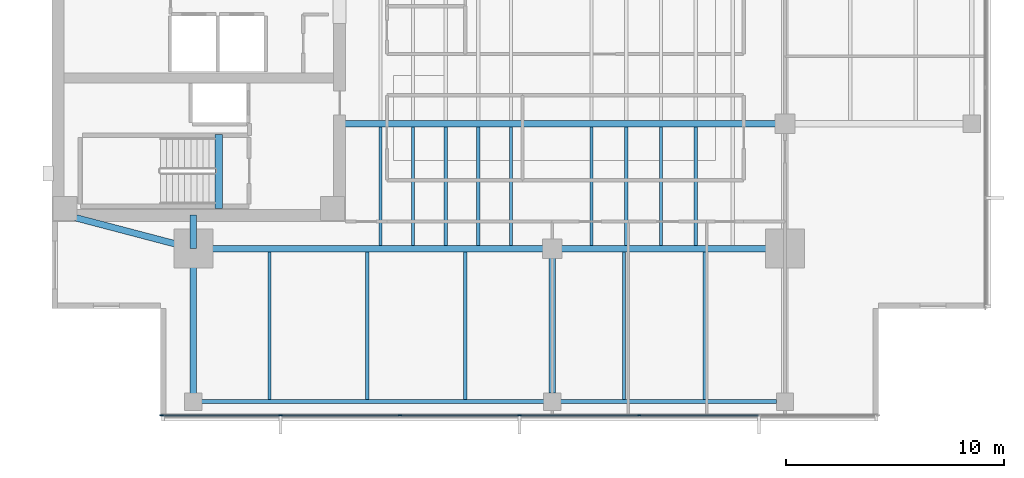
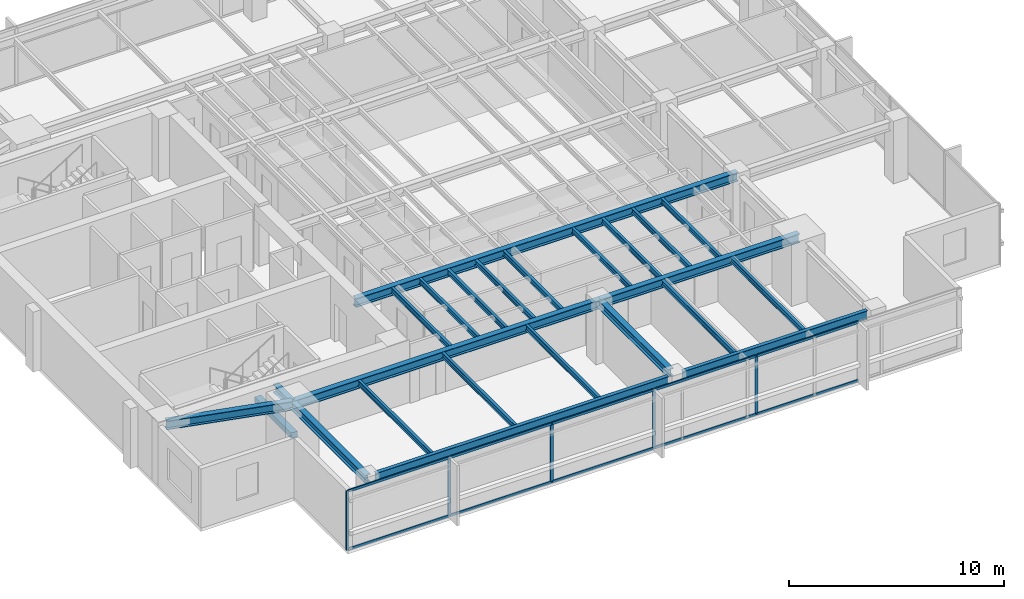
# One storey, part 2 of 14: 24 beams, 15 members, 1 element without a shape of its own.
"""IFC4 building model written with IfcOpenShell, lengths in metres."""

from ifc_helpers import new_model, si_unit, direction, frame, origin, origin_2d, place, context, subcontext, project, spatial, rectangle, i_section, extrude, material, layer, layer_set, material_profile, profile_set, type_object, element, aggregate, save


model = new_model("IFC4")

# Units and contexts
model_context = context("Model", 3, precision=1e-05, world=origin(), true_north=direction((0.0, 1.0)))
body_context = subcontext(model_context, "Body", "Model", "MODEL_VIEW")
ifc_project = project(units=[si_unit("LENGTHUNIT", "METRE"), si_unit("AREAUNIT", "SQUARE_METRE"), si_unit("VOLUMEUNIT", "CUBIC_METRE"), si_unit("PLANEANGLEUNIT", "RADIAN"), si_unit("MASSUNIT", "GRAM", prefix="KILO")], contexts=[model_context])

# Site, building, storey
site_placement = place(None, origin())
site = spatial("IfcSite", under=ifc_project, at=site_placement, CompositionType="ELEMENT")
building_placement = place(site_placement, origin())
building = spatial("IfcBuilding", under=site, at=building_placement, Name="Kinhvarn Gate Tower", CompositionType="ELEMENT")
storey_placement = place(building_placement, frame((0.0, 0.0, 230.64990234375)))
storey = spatial("IfcBuildingStorey", under=building, at=storey_placement, Name="L61", CompositionType="ELEMENT", Elevation=230.64990234375)

# Beam
ifc_material_1 = material(Name="Concrete C50/60", Category="concrete")
ifc_material_profile_1 = material_profile(ifc_material_1, rectangle(XDim=0.340087890625, YDim=0.320068359375, at=origin_2d()), Name="RC 340x320")
ifc_profile_set_1 = profile_set([ifc_material_profile_1], Name="Concrete C50/60")
beam_type_1 = type_object("IfcBeamType", Name="BM-LND-500", PredefinedType="BEAM", material=ifc_profile_set_1)
beam_1_placement = place(storey_placement, frame((12.1650390625, 14.60009765625, -0.159912109375), z_axis=(0.0, 1.0, 0.0), x_axis=(-1.0, 0.0, 0.0)))
element("IfcBeam", 1, at=beam_1_placement, inside=storey, type_object=beam_type_1, Name="Stair ST1 Landing Nosing Beam (L61)", PredefinedType="BEAM", context=body_context, shape_type="SweptSolid", body=[
    extrude(rectangle(XDim=0.340087890625, YDim=0.320068359375, at=origin_2d()), origin(), (0.0, 0.0, 1.0), 3.39990234375),
])

# Curtain wall, members
ifc_material_2 = material(Name="Anodised aluminium AW-6063", Category="aluminium")
ifc_layer = layer(ifc_material_2, 0.179931640625)
ifc_layer_set = layer_set([ifc_layer], Name="Anodised aluminium AW-6063")
curtain_wall_type = type_object("IfcCurtainWallType", Name="CW-SYS-3", PredefinedType="NOTDEFINED", material=ifc_layer_set)
curtain_wall_placement = place(storey_placement, origin())
curtain_wall = element("IfcCurtainWall", 2, at=curtain_wall_placement, inside=storey, type_object=curtain_wall_type, Name="Curtain Wall CW3 (L61)", PredefinedType="NOTDEFINED")
ifc_material_profile_2 = material_profile(ifc_material_2, rectangle(XDim=0.06494140625, YDim=0.159912109375, at=origin_2d()), Name="ALU 65x160")
ifc_profile_set_2 = profile_set([ifc_material_profile_2], Name="Anodised aluminium AW-6063")
member_type_1 = type_object("IfcMemberType", Name="CW-MUL-160", PredefinedType="MULLION", material=ifc_profile_set_2)
member_1_placement = place(storey_placement, frame((9.532470703125, 5.090087890625, 0.0), z_axis=(0.0, 0.0, 1.0), x_axis=(0.0, 1.0, 0.0)))
member_1 = element("IfcMember", 3, at=member_1_placement, type_object=member_type_1, Name="CW3 mullion 1", PredefinedType="MULLION", context=body_context, shape_type="SweptSolid", body=[
    extrude(rectangle(XDim=0.06494140625, YDim=0.159912109375, at=origin_2d()), origin(), (0.0, 0.0, 1.0), 3.3701171875),
])
member_2_placement = place(storey_placement, frame((15.0, 5.090087890625, 0.0), z_axis=(0.0, 0.0, 1.0), x_axis=(0.0, 1.0, 0.0)))
member_2 = element("IfcMember", 4, at=member_2_placement, type_object=member_type_1, Name="CW3 mullion 2", PredefinedType="MULLION", context=body_context, shape_type="SweptSolid", body=[
    extrude(rectangle(XDim=0.06494140625, YDim=0.159912109375, at=origin_2d()), origin(), (0.0, 0.0, 1.0), 3.3701171875),
])
member_3_placement = place(storey_placement, frame((20.5, 5.090087890625, 0.0), z_axis=(0.0, 0.0, 1.0), x_axis=(0.0, 1.0, 0.0)))
member_3 = element("IfcMember", 5, at=member_3_placement, type_object=member_type_1, Name="CW3 mullion 3", PredefinedType="MULLION", context=body_context, shape_type="SweptSolid", body=[
    extrude(rectangle(XDim=0.06494140625, YDim=0.159912109375, at=origin_2d()), origin(), (0.0, 0.0, 1.0), 3.3701171875),
])
member_4_placement = place(storey_placement, frame((26.0, 5.090087890625, 0.0), z_axis=(0.0, 0.0, 1.0), x_axis=(0.0, 1.0, 0.0)))
member_4 = element("IfcMember", 6, at=member_4_placement, type_object=member_type_1, Name="CW3 mullion 4", PredefinedType="MULLION", context=body_context, shape_type="SweptSolid", body=[
    extrude(rectangle(XDim=0.06494140625, YDim=0.159912109375, at=origin_2d()), origin(), (0.0, 0.0, 1.0), 3.3701171875),
])
member_5_placement = place(storey_placement, frame((31.5, 5.090087890625, 0.0), z_axis=(0.0, 0.0, 1.0), x_axis=(0.0, 1.0, 0.0)))
member_5 = element("IfcMember", 7, at=member_5_placement, type_object=member_type_1, Name="CW3 mullion 5", PredefinedType="MULLION", context=body_context, shape_type="SweptSolid", body=[
    extrude(rectangle(XDim=0.06494140625, YDim=0.159912109375, at=origin_2d()), origin(), (0.0, 0.0, 1.0), 3.3701171875),
])
ifc_material_profile_3 = material_profile(ifc_material_2, rectangle(XDim=0.070068359375, YDim=0.139892578125, at=origin_2d()), Name="ALU 70x140")
ifc_profile_set_3 = profile_set([ifc_material_profile_3], Name="Anodised aluminium AW-6063")
member_type_2 = type_object("IfcMemberType", Name="CW-TRN-140", PredefinedType="USERDEFINED", material=ifc_profile_set_3)
member_6_placement = place(storey_placement, frame((9.56494140625, 5.090087890625, 0.03515625), z_axis=(1.0, 0.0, 0.0), x_axis=(0.0, 1.0, 0.0)))
member_6 = element("IfcMember", 8, at=member_6_placement, type_object=member_type_2, Name="CW3 transom 1.1", ObjectType="TRANSOM", PredefinedType="USERDEFINED", context=body_context, shape_type="SweptSolid", body=[
    extrude(rectangle(XDim=0.070068359375, YDim=0.139892578125, at=origin_2d()), origin(), (0.0, 0.0, 1.0), 5.402587890625),
])
member_7_placement = place(storey_placement, frame((9.56494140625, 5.090087890625, 3.335205078125), z_axis=(1.0, 0.0, 0.0), x_axis=(0.0, 1.0, 0.0)))
member_7 = element("IfcMember", 9, at=member_7_placement, type_object=member_type_2, Name="CW3 transom 1.2", ObjectType="TRANSOM", PredefinedType="USERDEFINED", context=body_context, shape_type="SweptSolid", body=[
    extrude(rectangle(XDim=0.070068359375, YDim=0.139892578125, at=origin_2d()), origin(), (0.0, 0.0, 1.0), 5.402587890625),
])
member_8_placement = place(storey_placement, frame((15.032470703125, 5.090087890625, 0.03515625), z_axis=(1.0, 0.0, 0.0), x_axis=(0.0, 1.0, 0.0)))
member_8 = element("IfcMember", 10, at=member_8_placement, type_object=member_type_2, Name="CW3 transom 2.1", ObjectType="TRANSOM", PredefinedType="USERDEFINED", context=body_context, shape_type="SweptSolid", body=[
    extrude(rectangle(XDim=0.070068359375, YDim=0.139892578125, at=origin_2d()), origin(), (0.0, 0.0, 1.0), 5.43505859375),
])
member_9_placement = place(storey_placement, frame((15.032470703125, 5.090087890625, 3.335205078125), z_axis=(1.0, 0.0, 0.0), x_axis=(0.0, 1.0, 0.0)))
member_9 = element("IfcMember", 11, at=member_9_placement, type_object=member_type_2, Name="CW3 transom 2.2", ObjectType="TRANSOM", PredefinedType="USERDEFINED", context=body_context, shape_type="SweptSolid", body=[
    extrude(rectangle(XDim=0.070068359375, YDim=0.139892578125, at=origin_2d()), origin(), (0.0, 0.0, 1.0), 5.43505859375),
])
member_10_placement = place(storey_placement, frame((20.532470703125, 5.090087890625, 0.03515625), z_axis=(1.0, 0.0, 0.0), x_axis=(0.0, 1.0, 0.0)))
member_10 = element("IfcMember", 12, at=member_10_placement, type_object=member_type_2, Name="CW3 transom 3.1", ObjectType="TRANSOM", PredefinedType="USERDEFINED", context=body_context, shape_type="SweptSolid", body=[
    extrude(rectangle(XDim=0.070068359375, YDim=0.139892578125, at=origin_2d()), origin(), (0.0, 0.0, 1.0), 5.43505859375),
])
member_11_placement = place(storey_placement, frame((20.532470703125, 5.090087890625, 3.335205078125), z_axis=(1.0, 0.0, 0.0), x_axis=(0.0, 1.0, 0.0)))
member_11 = element("IfcMember", 13, at=member_11_placement, type_object=member_type_2, Name="CW3 transom 3.2", ObjectType="TRANSOM", PredefinedType="USERDEFINED", context=body_context, shape_type="SweptSolid", body=[
    extrude(rectangle(XDim=0.070068359375, YDim=0.139892578125, at=origin_2d()), origin(), (0.0, 0.0, 1.0), 5.43505859375),
])
member_12_placement = place(storey_placement, frame((26.032470703125, 5.090087890625, 0.03515625), z_axis=(1.0, 0.0, 0.0), x_axis=(0.0, 1.0, 0.0)))
member_12 = element("IfcMember", 14, at=member_12_placement, type_object=member_type_2, Name="CW3 transom 4.1", ObjectType="TRANSOM", PredefinedType="USERDEFINED", context=body_context, shape_type="SweptSolid", body=[
    extrude(rectangle(XDim=0.070068359375, YDim=0.139892578125, at=origin_2d()), origin(), (0.0, 0.0, 1.0), 5.43505859375),
])
member_13_placement = place(storey_placement, frame((26.032470703125, 5.090087890625, 3.335205078125), z_axis=(1.0, 0.0, 0.0), x_axis=(0.0, 1.0, 0.0)))
member_13 = element("IfcMember", 15, at=member_13_placement, type_object=member_type_2, Name="CW3 transom 4.2", ObjectType="TRANSOM", PredefinedType="USERDEFINED", context=body_context, shape_type="SweptSolid", body=[
    extrude(rectangle(XDim=0.070068359375, YDim=0.139892578125, at=origin_2d()), origin(), (0.0, 0.0, 1.0), 5.43505859375),
])
member_14_placement = place(storey_placement, frame((31.532470703125, 5.090087890625, 0.03515625), z_axis=(1.0, 0.0, 0.0), x_axis=(0.0, 1.0, 0.0)))
member_14 = element("IfcMember", 16, at=member_14_placement, type_object=member_type_2, Name="CW3 transom 5.1", ObjectType="TRANSOM", PredefinedType="USERDEFINED", context=body_context, shape_type="SweptSolid", body=[
    extrude(rectangle(XDim=0.070068359375, YDim=0.139892578125, at=origin_2d()), origin(), (0.0, 0.0, 1.0), 5.43505859375),
])
member_15_placement = place(storey_placement, frame((31.532470703125, 5.090087890625, 3.335205078125), z_axis=(1.0, 0.0, 0.0), x_axis=(0.0, 1.0, 0.0)))
member_15 = element("IfcMember", 17, at=member_15_placement, type_object=member_type_2, Name="CW3 transom 5.2", ObjectType="TRANSOM", PredefinedType="USERDEFINED", context=body_context, shape_type="SweptSolid", body=[
    extrude(rectangle(XDim=0.070068359375, YDim=0.139892578125, at=origin_2d()), origin(), (0.0, 0.0, 1.0), 5.43505859375),
])
aggregate(curtain_wall, [member_1, member_2, member_3, member_4, member_5, member_6, member_7, member_8, member_9, member_10, member_11, member_12, member_13, member_14, member_15])

# Beams
ifc_material_3 = material(Name="Steel S355", Category="steel")
ifc_material_profile_4 = material_profile(ifc_material_3, i_section(OverallWidth=0.300048828125, OverallDepth=0.449951171875, WebThickness=0.013916015625, FlangeThickness=0.02587890625, at=origin_2d()), Name="HEB 450")
ifc_profile_set_4 = profile_set([ifc_material_profile_4], Name="Steel S355")
beam_type_2 = type_object("IfcBeamType", Name="STL-HEB450", PredefinedType="BEAM", material=ifc_profile_set_4)
beam_2_placement = place(storey_placement, frame((11.0, 5.719970703125, 3.14501953125), z_axis=(0.0, 1.0, 0.0), x_axis=(-1.0, 0.0, 0.0)))
element("IfcBeam", 18, at=beam_2_placement, inside=storey, type_object=beam_type_2, Name="Floor Beam PG-13 (L61 MCW-S)", PredefinedType="BEAM", context=body_context, shape_type="SweptSolid", body=[
    extrude(i_section(OverallWidth=0.300048828125, OverallDepth=0.449951171875, WebThickness=0.013916015625, FlangeThickness=0.02587890625, at=origin_2d()), origin(), (0.0, 0.0, 1.0), 7.030029296875),
])
beam_3_placement = place(storey_placement, frame((11.0, 12.75, 3.14501953125), z_axis=(0.0, 1.0, 0.0), x_axis=(-1.0, 0.0, 0.0)))
element("IfcBeam", 19, at=beam_3_placement, inside=storey, type_object=beam_type_2, Name="Floor Beam PG-13 (L61 MCW-CS)", PredefinedType="BEAM", context=body_context, shape_type="SweptSolid", body=[
    extrude(i_section(OverallWidth=0.300048828125, OverallDepth=0.449951171875, WebThickness=0.013916015625, FlangeThickness=0.02587890625, at=origin_2d()), origin(), (0.0, 0.0, 1.0), 1.550048828125),
])
beam_4_placement = place(storey_placement, frame((27.5, 6.10498046875, 3.14501953125), z_axis=(0.0, 1.0, 0.0), x_axis=(-1.0, 0.0, 0.0)))
element("IfcBeam", 20, at=beam_4_placement, inside=storey, type_object=beam_type_2, Name="Floor Beam PG-13 (L61 SP27-S-TIE)", PredefinedType="BEAM", context=body_context, shape_type="SweptSolid", body=[
    extrude(i_section(OverallWidth=0.300048828125, OverallDepth=0.449951171875, WebThickness=0.013916015625, FlangeThickness=0.02587890625, at=origin_2d()), origin(), (0.0, 0.0, 1.0), 6.64501953125),
])
ifc_material_profile_5 = material_profile(ifc_material_3, i_section(OverallWidth=0.300048828125, OverallDepth=0.5, WebThickness=0.014404296875, FlangeThickness=0.028076171875, at=origin_2d()), Name="HEB 500")
ifc_profile_set_5 = profile_set([ifc_material_profile_5], Name="Steel S355")
beam_type_3 = type_object("IfcBeamType", Name="STL-HEB500", PredefinedType="BEAM", material=ifc_profile_set_5)
beam_5_placement = place(storey_placement, frame((11.0, 12.75, 3.1201171875), z_axis=(1.0, 0.0, 0.0), x_axis=(0.0, 1.0, 0.0)))
element("IfcBeam", 21, at=beam_5_placement, inside=storey, type_object=beam_type_3, Name="Floor Beam PG-14 (L61 MG-S1)", PredefinedType="BEAM", context=body_context, shape_type="SweptSolid", body=[
    extrude(i_section(OverallWidth=0.300048828125, OverallDepth=0.5, WebThickness=0.014404296875, FlangeThickness=0.028076171875, at=origin_2d()), origin(), (0.0, 0.0, 1.0), 16.5),
])
beam_6_placement = place(storey_placement, frame((27.5, 12.75, 3.1201171875), z_axis=(1.0, 0.0, 0.0), x_axis=(0.0, 1.0, 0.0)))
element("IfcBeam", 22, at=beam_6_placement, inside=storey, type_object=beam_type_3, Name="Floor Beam PG-14 (L61 MG-S2)", PredefinedType="BEAM", context=body_context, shape_type="SweptSolid", body=[
    extrude(i_section(OverallWidth=0.300048828125, OverallDepth=0.5, WebThickness=0.014404296875, FlangeThickness=0.028076171875, at=origin_2d()), origin(), (0.0, 0.0, 1.0), 10.699951171875),
])
beam_7_placement = place(storey_placement, frame((5.10009765625, 14.300048828125, 3.1201171875), z_axis=(0.967177623957, -0.254101246979, 0.0), x_axis=(0.254101246979, 0.967177623957, 0.0)))
element("IfcBeam", 23, at=beam_7_placement, inside=storey, type_object=beam_type_3, Name="Floor Beam PG-14 (L61 MG-SW-DIAG)", PredefinedType="BEAM", context=body_context, shape_type="SweptSolid", body=[
    extrude(i_section(OverallWidth=0.300048828125, OverallDepth=0.5, WebThickness=0.014404296875, FlangeThickness=0.028076171875, at=origin_2d()), origin(), (0.0, 0.0, 1.0), 6.10009765625),
])
beam_8_placement = place(storey_placement, frame((17.64990234375, 18.5, 3.1201171875), z_axis=(1.0, 0.0, 0.0), x_axis=(0.0, 1.0, 0.0)))
element("IfcBeam", 24, at=beam_8_placement, inside=storey, type_object=beam_type_3, Name="Floor Beam PG-14 (L61 EW1-Y18)", PredefinedType="BEAM", context=body_context, shape_type="SweptSolid", body=[
    extrude(i_section(OverallWidth=0.300048828125, OverallDepth=0.5, WebThickness=0.014404296875, FlangeThickness=0.028076171875, at=origin_2d()), origin(), (0.0, 0.0, 1.0), 20.550048828125),
])
ifc_material_profile_6 = material_profile(ifc_material_3, i_section(OverallWidth=0.14990234375, OverallDepth=0.300048828125, WebThickness=0.007080078125, FlangeThickness=0.0107421875, at=origin_2d()), Name="IPE 300")
ifc_profile_set_6 = profile_set([ifc_material_profile_6], Name="Steel S355")
beam_type_4 = type_object("IfcBeamType", Name="STL-IPE300", PredefinedType="JOIST", material=ifc_profile_set_6)
for number, where, z_axis, x_axis, name in (
    (25, (19.60009765625, 12.89990234375, 3.22021484375), (0.0, 1.0, 0.0), (-1.0, 0.0, 0.0), "Floor Joist SB-02 (L61 JC-X196-0)"),
    (26, (21.10009765625, 12.89990234375, 3.22021484375), (0.0, 1.0, 0.0), (-1.0, 0.0, 0.0), "Floor Joist SB-02 (L61 JC-X211-0)"),
    (27, (22.60009765625, 12.89990234375, 3.22021484375), (0.0, 1.0, 0.0), (-1.0, 0.0, 0.0), "Floor Joist SB-02 (L61 JC-X226-0)"),
    (28, (24.10009765625, 12.89990234375, 3.22021484375), (0.0, 1.0, 0.0), (-1.0, 0.0, 0.0), "Floor Joist SB-02 (L61 JC-X241-0)"),
    (29, (25.60009765625, 12.89990234375, 3.22021484375), (0.0, 1.0, 0.0), (-1.0, 0.0, 0.0), "Floor Joist SB-02 (L61 JC-X256-0)"),
    (30, (29.300048828125, 12.89990234375, 3.22021484375), (0.0, 1.0, 0.0), (-1.0, 0.0, 0.0), "Floor Joist SB-02 (L61 JC-X293-0)"),
    (31, (30.89990234375, 12.89990234375, 3.22021484375), (0.0, 1.0, 0.0), (-1.0, 0.0, 0.0), "Floor Joist SB-02 (L61 JC-X309-0)"),
    (32, (32.5, 12.89990234375, 3.22021484375), (0.0, 1.0, 0.0), (-1.0, 0.0, 0.0), "Floor Joist SB-02 (L61 JC-X325-0)"),
    (33, (34.10009765625, 12.89990234375, 3.22021484375), (0.0, 1.0, 0.0), (-1.0, 0.0, 0.0), "Floor Joist SB-02 (L61 JC-X341-0)"),
):
    element("IfcBeam", number, at=place(storey_placement, frame(where, z_axis=z_axis, x_axis=x_axis)), inside=storey, type_object=beam_type_4, Name=name, PredefinedType="JOIST", context=body_context, shape_type="SweptSolid", body=[
        extrude(i_section(OverallWidth=0.14990234375, OverallDepth=0.300048828125, WebThickness=0.007080078125, FlangeThickness=0.0107421875, at=origin_2d()), origin(), (0.0, 0.0, 1.0), 5.4501953125),
    ])
for number, where, z_axis, x_axis, name in (
    (34, (14.5, 5.820068359375, 3.22021484375), (0.0, 1.0, 0.0), (-1.0, 0.0, 0.0), "Floor Joist SB-02 (L61 JS-X145)"),
    (35, (19.0, 5.820068359375, 3.22021484375), (0.0, 1.0, 0.0), (-1.0, 0.0, 0.0), "Floor Joist SB-02 (L61 JS-X190)"),
    (36, (23.5, 5.820068359375, 3.22021484375), (0.0, 1.0, 0.0), (-1.0, 0.0, 0.0), "Floor Joist SB-02 (L61 JS-X235)"),
    (37, (30.800048828125, 5.820068359375, 3.22021484375), (0.0, 1.0, 0.0), (-1.0, 0.0, 0.0), "Floor Joist SB-02 (L61 JS-X308)"),
    (38, (34.5, 5.820068359375, 3.22021484375), (0.0, 1.0, 0.0), (-1.0, 0.0, 0.0), "Floor Joist SB-02 (L61 JS-X345)"),
):
    element("IfcBeam", number, at=place(storey_placement, frame(where, z_axis=z_axis, x_axis=x_axis)), inside=storey, type_object=beam_type_4, Name=name, PredefinedType="JOIST", context=body_context, shape_type="SweptSolid", body=[
        extrude(i_section(OverallWidth=0.14990234375, OverallDepth=0.300048828125, WebThickness=0.007080078125, FlangeThickness=0.0107421875, at=origin_2d()), origin(), (0.0, 0.0, 1.0), 6.780029296875),
    ])
ifc_material_profile_7 = material_profile(ifc_material_3, i_section(OverallWidth=0.199951171875, OverallDepth=0.5, WebThickness=0.01025390625, FlangeThickness=0.01611328125, at=origin_2d()), Name="IPE 500")
ifc_profile_set_7 = profile_set([ifc_material_profile_7], Name="Steel S355")
beam_type_5 = type_object("IfcBeamType", Name="STL-IPE500", PredefinedType="SPANDREL", material=ifc_profile_set_7)
beam_9_placement = place(storey_placement, frame((11.385009765625, 5.719970703125, 3.1201171875), z_axis=(1.0, 0.0, 0.0), x_axis=(0.0, 1.0, 0.0)))
element("IfcBeam", 39, at=beam_9_placement, inside=storey, type_object=beam_type_5, Name="Floor Spandrel SB-07 (L61 SP-S1)", PredefinedType="SPANDREL", context=body_context, shape_type="SweptSolid", body=[
    extrude(i_section(OverallWidth=0.199951171875, OverallDepth=0.5, WebThickness=0.01025390625, FlangeThickness=0.01611328125, at=origin_2d()), origin(), (0.0, 0.0, 1.0), 15.72998046875),
])
beam_10_placement = place(storey_placement, frame((27.885009765625, 5.719970703125, 3.1201171875), z_axis=(1.0, 0.0, 0.0), x_axis=(0.0, 1.0, 0.0)))
element("IfcBeam", 40, at=beam_10_placement, inside=storey, type_object=beam_type_5, Name="Floor Spandrel SB-07 (L61 SP-S2)", PredefinedType="SPANDREL", context=body_context, shape_type="SweptSolid", body=[
    extrude(i_section(OverallWidth=0.199951171875, OverallDepth=0.5, WebThickness=0.01025390625, FlangeThickness=0.01611328125, at=origin_2d()), origin(), (0.0, 0.0, 1.0), 9.929931640625),
])

save(model, "model.ifc")
